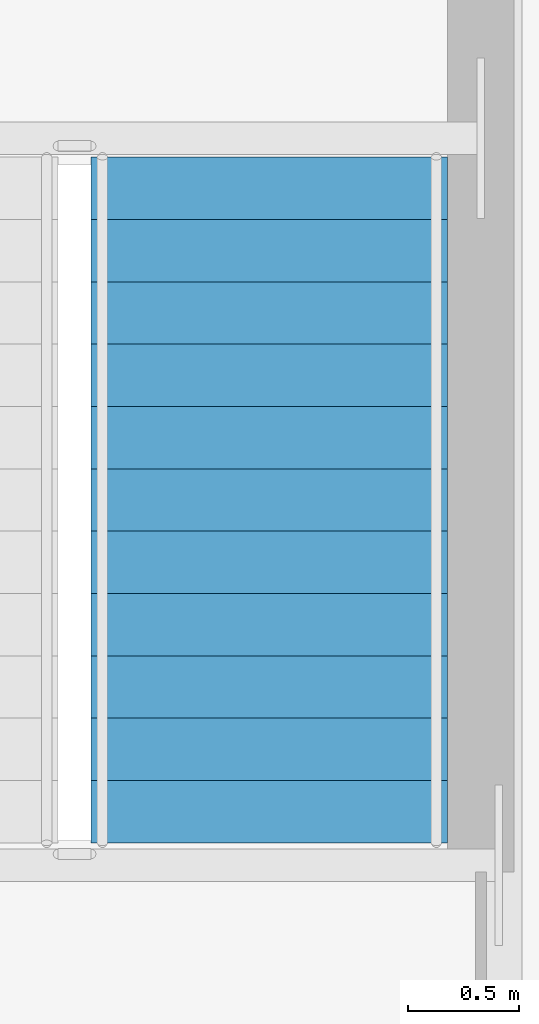
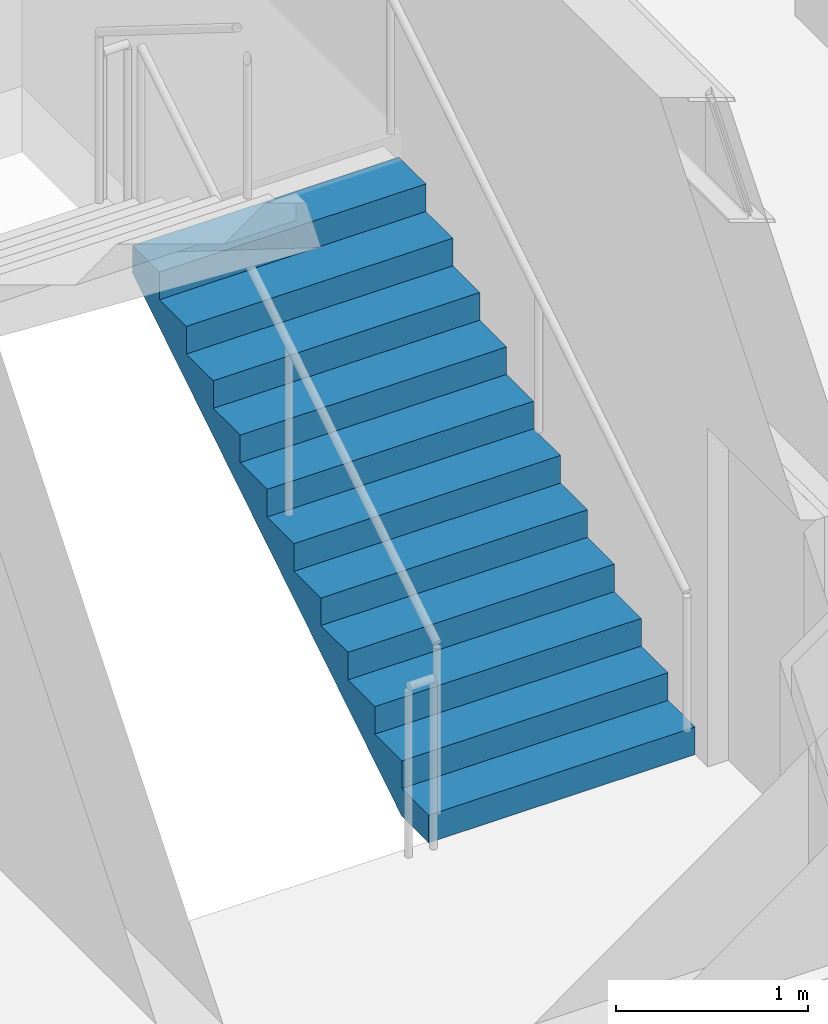
# One storey, part 8 of 12: 1 stair flight, 1 element without a shape of its own.
"""IFC4 building model written with IfcOpenShell, lengths in metres."""

from ifc_helpers import new_model, si_unit, direction, frame, origin, place, context, subcontext, project, spatial, polyline, outline, extrude, material, type_object, element, aggregate, save


model = new_model("IFC4")

# Units and contexts
model_context = context("Model", 3, precision=1e-05, world=origin(), true_north=direction((0.0, 1.0)))
body_context = subcontext(model_context, "Body", "Model", "MODEL_VIEW")
ifc_project = project(units=[si_unit("LENGTHUNIT", "METRE"), si_unit("AREAUNIT", "SQUARE_METRE"), si_unit("VOLUMEUNIT", "CUBIC_METRE"), si_unit("PLANEANGLEUNIT", "RADIAN"), si_unit("MASSUNIT", "GRAM", prefix="KILO")], contexts=[model_context])

# Site, building, storey
site_placement = place(None, origin())
site = spatial("IfcSite", under=ifc_project, at=site_placement, CompositionType="ELEMENT")
building_placement = place(site_placement, origin())
building = spatial("IfcBuilding", under=site, at=building_placement, Name="Khamvora Tower", CompositionType="ELEMENT")
storey_placement = place(building_placement, frame((0.0, 0.0, 286.25)))
storey = spatial("IfcBuildingStorey", under=building, at=storey_placement, Name="L73", CompositionType="ELEMENT", Elevation=286.25)

# Stair, stair flight
ifc_material = material(Name="Concrete C40/50", Category="concrete")
stair_type = type_object("IfcStairType", Name="STR-ST-02", PredefinedType="HALF_TURN_STAIR", material=ifc_material)
stair_placement = place(storey_placement, origin())
stair = element("IfcStair", 1, at=stair_placement, inside=storey, type_object=stair_type, Name="L73 North Tower Exit Stair ST-02", PredefinedType="HALF_TURN_STAIR")
stair_flight_type = type_object("IfcStairFlightType", Name="STF-ST-02", PredefinedType="STRAIGHT", material=ifc_material)
stair_flight_placement = place(storey_placement, frame((31.699951171875, 29.85009765625, 0.0), z_axis=(0.0, 0.0, 1.0), x_axis=(0.0, 1.0, 0.0)))
stair_flight = element("IfcStairFlight", 2, at=stair_flight_placement, type_object=stair_flight_type, Name="ST-02 flight 1", NumberOfRisers=12, NumberOfTreads=11, PredefinedType="STRAIGHT", RiserHeight=0.175, TreadLength=0.28, context=body_context, shape_type="SweptSolid", body=[
    extrude(outline(polyline([(0.0, 0.0), (0.0, 0.175048828125), (0.280029296875, 0.175048828125), (0.280029296875, 0.35009765625), (0.56005859375, 0.35009765625), (0.56005859375, 0.52490234375), (0.840087890625, 0.52490234375), (0.840087890625, 0.699951171875), (1.1201171875, 0.699951171875), (1.1201171875, 0.875), (1.39990234375, 0.875), (1.39990234375, 1.050048828125), (1.679931640625, 1.050048828125), (1.679931640625, 1.22509765625), (1.9599609375, 1.22509765625), (1.9599609375, 1.39990234375), (2.239990234375, 1.39990234375), (2.239990234375, 1.574951171875), (2.52001953125, 1.574951171875), (2.52001953125, 1.75), (2.800048828125, 1.75), (2.800048828125, 1.925048828125), (3.080078125, 1.925048828125), (3.080078125, 2.10009765625), (3.080078125, 1.748291015625), (0.28271484375, 0.0), (0.0, 0.0)])), frame((0.0, 0.800048828125, 0.0), z_axis=(0.0, -1.0, 0.0), x_axis=(1.0, 0.0, 0.0)), (0.0, 0.0, 1.0), 1.60009765625),
])
aggregate(stair, [stair_flight])

save(model, "model.ifc")
